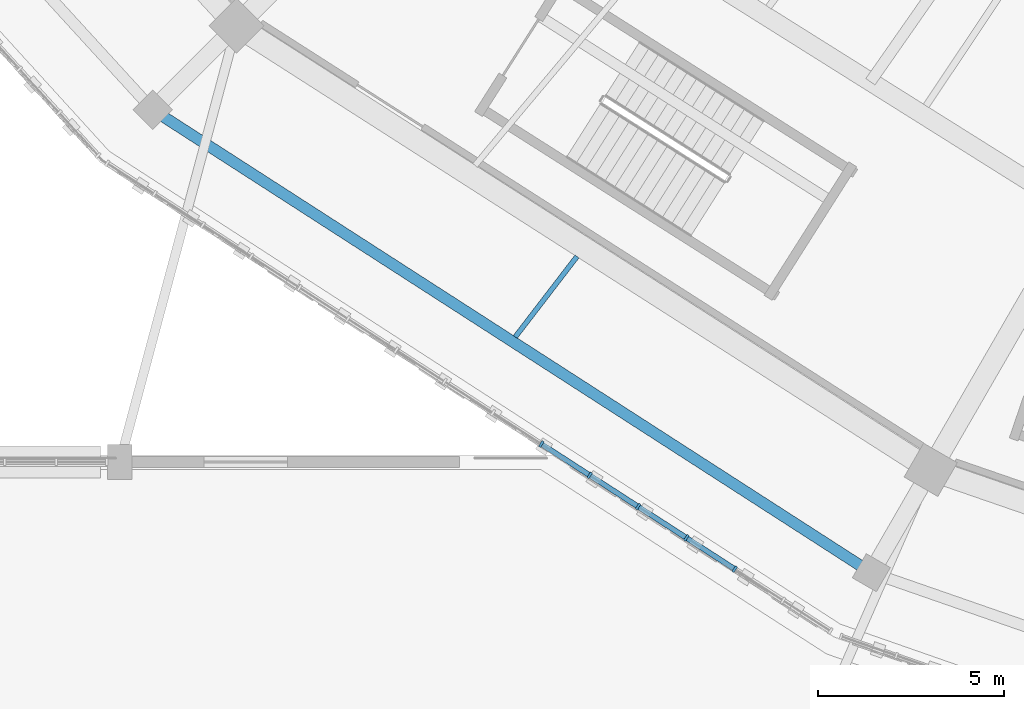
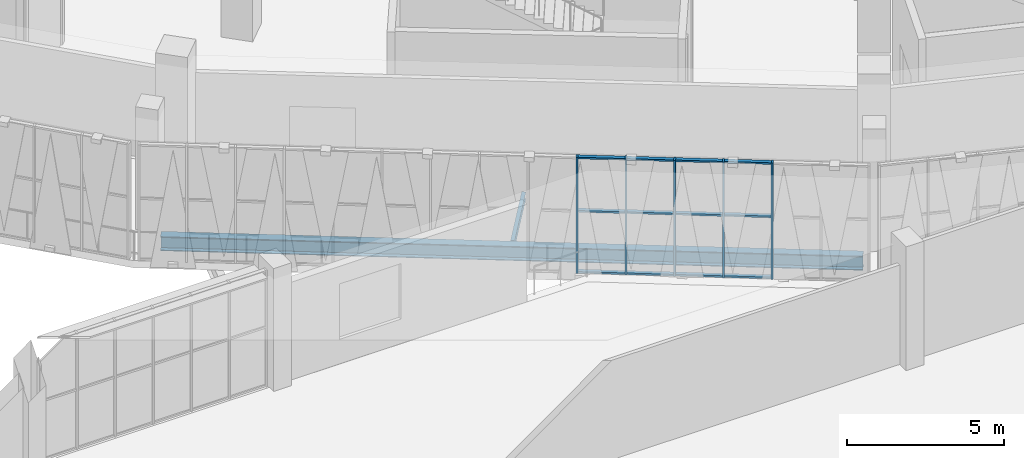
# One storey, part 7 of 179: 17 members, 2 beams, 1 element without a shape of its own.
"""IFC4 building model written with IfcOpenShell, lengths in metres."""

from ifc_helpers import new_model, si_unit, direction, frame, origin, origin_2d, place, context, subcontext, project, spatial, rectangle, i_section, extrude, material, material_profile, profile_set, type_object, element, aggregate, save


model = new_model("IFC4")

# Units and contexts
model_context = context("Model", 3, precision=1e-05, world=origin(), true_north=direction((0.0, 1.0)))
body_context = subcontext(model_context, "Body", "Model", "MODEL_VIEW")
ifc_project = project(units=[si_unit("LENGTHUNIT", "METRE"), si_unit("AREAUNIT", "SQUARE_METRE"), si_unit("VOLUMEUNIT", "CUBIC_METRE"), si_unit("PLANEANGLEUNIT", "RADIAN"), si_unit("MASSUNIT", "GRAM", prefix="KILO")], contexts=[model_context])

# Site, building, storey
site_placement = place(None, origin())
site = spatial("IfcSite", under=ifc_project, at=site_placement, CompositionType="ELEMENT")
building_placement = place(site_placement, origin())
building = spatial("IfcBuilding", under=site, at=building_placement, Name="Zevraka Park Crest Stadium", CompositionType="ELEMENT")
storey_placement = place(building_placement, frame((0.0, 0.0, 10.199951171875)))
storey = spatial("IfcBuildingStorey", under=building, at=storey_placement, Name="L02", CompositionType="ELEMENT", Elevation=10.199951171875)

# Curtain wall, members
ifc_material_1 = material(Name="Anodised architectural aluminium and laminated safety glass", Category="aluminium")
curtain_wall_type = type_object("IfcCurtainWallType", Name="CW08", PredefinedType="NOTDEFINED", material=ifc_material_1)
curtain_wall_placement = place(storey_placement, origin())
curtain_wall = element("IfcCurtainWall", 1, at=curtain_wall_placement, inside=storey, type_object=curtain_wall_type, Name="Unitised Ring Curtain Wall CW08 L02-15", PredefinedType="NOTDEFINED")
ifc_material_2 = material(Name="Anodised architectural aluminium", Category="aluminium")
ifc_material_profile_1 = material_profile(ifc_material_2, rectangle(XDim=0.179931640625, YDim=0.06494140625, at=origin_2d()), Name="ALU MULLION 180x65")
ifc_profile_set_1 = profile_set([ifc_material_profile_1], Name="Anodised architectural aluminium")
member_type_1 = type_object("IfcMemberType", Name="CM02", PredefinedType="MULLION", material=ifc_profile_set_1)
member_1_placement = place(storey_placement, frame((56.3583984375, 27.484375, 0.0), z_axis=(0.0, 0.0, 1.0), x_axis=(0.543096287444, 0.839670424967, 0.0)))
member_1 = element("IfcMember", 2, at=member_1_placement, type_object=member_type_1, Name="CW08 mullion 10", PredefinedType="MULLION", context=body_context, shape_type="SweptSolid", body=[
    extrude(rectangle(XDim=0.179931640625, YDim=0.06494140625, at=origin_2d()), origin(), (0.0, 0.0, 1.0), 4.5),
])
member_2_placement = place(storey_placement, frame((57.661376953125, 26.6416015625, 0.0), z_axis=(0.0, 0.0, 1.0), x_axis=(0.543096287444, 0.839670424967, 0.0)))
member_2 = element("IfcMember", 3, at=member_2_placement, type_object=member_type_1, Name="CW08 mullion 11", PredefinedType="MULLION", context=body_context, shape_type="SweptSolid", body=[
    extrude(rectangle(XDim=0.179931640625, YDim=0.06494140625, at=origin_2d()), origin(), (0.0, 0.0, 1.0), 4.5),
])
member_3_placement = place(storey_placement, frame((58.96435546875, 25.798828125, 0.0), z_axis=(0.0, 0.0, 1.0), x_axis=(0.543096287444, 0.839670424967, 0.0)))
member_3 = element("IfcMember", 4, at=member_3_placement, type_object=member_type_1, Name="CW08 mullion 12", PredefinedType="MULLION", context=body_context, shape_type="SweptSolid", body=[
    extrude(rectangle(XDim=0.179931640625, YDim=0.06494140625, at=origin_2d()), origin(), (0.0, 0.0, 1.0), 4.5),
])
member_4_placement = place(storey_placement, frame((60.26708984375, 24.956298828125, 0.0), z_axis=(0.0, 0.0, 1.0), x_axis=(0.543096287444, 0.839670424967, 0.0)))
member_4 = element("IfcMember", 5, at=member_4_placement, type_object=member_type_1, Name="CW08 mullion 13", PredefinedType="MULLION", context=body_context, shape_type="SweptSolid", body=[
    extrude(rectangle(XDim=0.179931640625, YDim=0.06494140625, at=origin_2d()), origin(), (0.0, 0.0, 1.0), 4.5),
])
member_5_placement = place(storey_placement, frame((61.570068359375, 24.113525390625, 0.0), z_axis=(0.0, 0.0, 1.0), x_axis=(0.543096287444, 0.839670424967, 0.0)))
member_5 = element("IfcMember", 6, at=member_5_placement, type_object=member_type_1, Name="CW08 mullion 14", PredefinedType="MULLION", context=body_context, shape_type="SweptSolid", body=[
    extrude(rectangle(XDim=0.179931640625, YDim=0.06494140625, at=origin_2d()), origin(), (0.0, 0.0, 1.0), 4.5),
])
ifc_material_3 = material(Name="Anodised architectural aluminium", Category="aluminium")
ifc_material_profile_2 = material_profile(ifc_material_3, rectangle(XDim=0.139892578125, YDim=0.06494140625, at=origin_2d()), Name="ALU TRANSOM 140x65")
ifc_profile_set_2 = profile_set([ifc_material_profile_2], Name="Anodised architectural aluminium")
member_type_2 = type_object("IfcMemberType", Name="CT02", PredefinedType="USERDEFINED", material=ifc_profile_set_2)
member_6_placement = place(storey_placement, frame((56.3857421875, 27.466796875, 0.032470703125), z_axis=(0.839675885301, -0.543087845236, 0.0), x_axis=(0.543087845236, 0.839675885301, 0.0)))
member_6 = element("IfcMember", 7, at=member_6_placement, type_object=member_type_2, Name="CW08 transom 10.1", ObjectType="TRANSOM", PredefinedType="USERDEFINED", context=body_context, shape_type="SweptSolid", body=[
    extrude(rectangle(XDim=0.139892578125, YDim=0.06494140625, at=origin_2d()), origin(), (0.0, 0.0, 1.0), 1.486572265625),
])
member_7_placement = place(storey_placement, frame((56.3857421875, 27.466796875, 2.400146484375), z_axis=(0.839675885301, -0.543087845236, 0.0), x_axis=(0.543087845236, 0.839675885301, 0.0)))
member_7 = element("IfcMember", 8, at=member_7_placement, type_object=member_type_2, Name="CW08 transom 10.2", ObjectType="TRANSOM", PredefinedType="USERDEFINED", context=body_context, shape_type="SweptSolid", body=[
    extrude(rectangle(XDim=0.139892578125, YDim=0.06494140625, at=origin_2d()), origin(), (0.0, 0.0, 1.0), 1.486572265625),
])
member_8_placement = place(storey_placement, frame((56.3857421875, 27.466796875, 4.467529296875), z_axis=(0.839675885301, -0.543087845236, 0.0), x_axis=(0.543087845236, 0.839675885301, 0.0)))
member_8 = element("IfcMember", 9, at=member_8_placement, type_object=member_type_2, Name="CW08 transom 10.3", ObjectType="TRANSOM", PredefinedType="USERDEFINED", context=body_context, shape_type="SweptSolid", body=[
    extrude(rectangle(XDim=0.139892578125, YDim=0.06494140625, at=origin_2d()), origin(), (0.0, 0.0, 1.0), 1.486572265625),
])
member_9_placement = place(storey_placement, frame((57.688720703125, 26.6240234375, 0.032470703125), z_axis=(0.839675885301, -0.543087845236, 0.0), x_axis=(0.543087845236, 0.839675885301, 0.0)))
member_9 = element("IfcMember", 10, at=member_9_placement, type_object=member_type_2, Name="CW08 transom 11.1", ObjectType="TRANSOM", PredefinedType="USERDEFINED", context=body_context, shape_type="SweptSolid", body=[
    extrude(rectangle(XDim=0.139892578125, YDim=0.06494140625, at=origin_2d()), origin(), (0.0, 0.0, 1.0), 1.486572265625),
])
member_10_placement = place(storey_placement, frame((57.688720703125, 26.6240234375, 2.400146484375), z_axis=(0.839675885301, -0.543087845236, 0.0), x_axis=(0.543087845236, 0.839675885301, 0.0)))
member_10 = element("IfcMember", 11, at=member_10_placement, type_object=member_type_2, Name="CW08 transom 11.2", ObjectType="TRANSOM", PredefinedType="USERDEFINED", context=body_context, shape_type="SweptSolid", body=[
    extrude(rectangle(XDim=0.139892578125, YDim=0.06494140625, at=origin_2d()), origin(), (0.0, 0.0, 1.0), 1.486572265625),
])
member_11_placement = place(storey_placement, frame((57.688720703125, 26.6240234375, 4.467529296875), z_axis=(0.839675885301, -0.543087845236, 0.0), x_axis=(0.543087845236, 0.839675885301, 0.0)))
member_11 = element("IfcMember", 12, at=member_11_placement, type_object=member_type_2, Name="CW08 transom 11.3", ObjectType="TRANSOM", PredefinedType="USERDEFINED", context=body_context, shape_type="SweptSolid", body=[
    extrude(rectangle(XDim=0.139892578125, YDim=0.06494140625, at=origin_2d()), origin(), (0.0, 0.0, 1.0), 1.486572265625),
])
member_12_placement = place(storey_placement, frame((58.991455078125, 25.78125, 0.032470703125), z_axis=(0.839724312152, -0.543012964468, 0.0), x_axis=(0.543012964468, 0.839724312152, 0.0)))
member_12 = element("IfcMember", 13, at=member_12_placement, type_object=member_type_2, Name="CW08 transom 12.1", ObjectType="TRANSOM", PredefinedType="USERDEFINED", context=body_context, shape_type="SweptSolid", body=[
    extrude(rectangle(XDim=0.139892578125, YDim=0.06494140625, at=origin_2d()), origin(), (0.0, 0.0, 1.0), 1.48681640625),
])
member_13_placement = place(storey_placement, frame((58.991455078125, 25.78125, 2.400146484375), z_axis=(0.839724312152, -0.543012964468, 0.0), x_axis=(0.543012964468, 0.839724312152, 0.0)))
member_13 = element("IfcMember", 14, at=member_13_placement, type_object=member_type_2, Name="CW08 transom 12.2", ObjectType="TRANSOM", PredefinedType="USERDEFINED", context=body_context, shape_type="SweptSolid", body=[
    extrude(rectangle(XDim=0.139892578125, YDim=0.06494140625, at=origin_2d()), origin(), (0.0, 0.0, 1.0), 1.48681640625),
])
member_14_placement = place(storey_placement, frame((58.991455078125, 25.78125, 4.467529296875), z_axis=(0.839724312152, -0.543012964468, 0.0), x_axis=(0.543012964468, 0.839724312152, 0.0)))
member_14 = element("IfcMember", 15, at=member_14_placement, type_object=member_type_2, Name="CW08 transom 12.3", ObjectType="TRANSOM", PredefinedType="USERDEFINED", context=body_context, shape_type="SweptSolid", body=[
    extrude(rectangle(XDim=0.139892578125, YDim=0.06494140625, at=origin_2d()), origin(), (0.0, 0.0, 1.0), 1.48681640625),
])
member_15_placement = place(storey_placement, frame((60.29443359375, 24.9384765625, 0.032470703125), z_axis=(0.839675885301, -0.543087845236, 0.0), x_axis=(0.543087845236, 0.839675885301, 0.0)))
member_15 = element("IfcMember", 16, at=member_15_placement, type_object=member_type_2, Name="CW08 transom 13.1", ObjectType="TRANSOM", PredefinedType="USERDEFINED", context=body_context, shape_type="SweptSolid", body=[
    extrude(rectangle(XDim=0.139892578125, YDim=0.06494140625, at=origin_2d()), origin(), (0.0, 0.0, 1.0), 1.486572265625),
])
member_16_placement = place(storey_placement, frame((60.29443359375, 24.9384765625, 2.400146484375), z_axis=(0.839675885301, -0.543087845236, 0.0), x_axis=(0.543087845236, 0.839675885301, 0.0)))
member_16 = element("IfcMember", 17, at=member_16_placement, type_object=member_type_2, Name="CW08 transom 13.2", ObjectType="TRANSOM", PredefinedType="USERDEFINED", context=body_context, shape_type="SweptSolid", body=[
    extrude(rectangle(XDim=0.139892578125, YDim=0.06494140625, at=origin_2d()), origin(), (0.0, 0.0, 1.0), 1.486572265625),
])
member_17_placement = place(storey_placement, frame((60.29443359375, 24.9384765625, 4.467529296875), z_axis=(0.839675885301, -0.543087845236, 0.0), x_axis=(0.543087845236, 0.839675885301, 0.0)))
member_17 = element("IfcMember", 18, at=member_17_placement, type_object=member_type_2, Name="CW08 transom 13.3", ObjectType="TRANSOM", PredefinedType="USERDEFINED", context=body_context, shape_type="SweptSolid", body=[
    extrude(rectangle(XDim=0.139892578125, YDim=0.06494140625, at=origin_2d()), origin(), (0.0, 0.0, 1.0), 1.486572265625),
])
aggregate(curtain_wall, [member_1, member_2, member_3, member_4, member_5, member_6, member_7, member_8, member_9, member_10, member_11, member_12, member_13, member_14, member_15, member_16, member_17])

# Beams
ifc_material_4 = material(Name="Steel S355", Category="steel")
ifc_material_profile_3 = material_profile(ifc_material_4, i_section(OverallWidth=0.300048828125, OverallDepth=0.550048828125, WebThickness=0.014892578125, FlangeThickness=0.029052734375, at=origin_2d()), Name="HEB 550")
ifc_profile_set_3 = profile_set([ifc_material_profile_3], Name="Steel S355")
beam_type_1 = type_object("IfcBeamType", Name="RB04", PredefinedType="BEAM", material=ifc_profile_set_3)
beam_1_placement = place(storey_placement, frame((46.179931640625, 36.302001953125, -0.5849609375), z_axis=(0.840676981124, -0.541536899396, 0.0), x_axis=(0.541536899396, 0.840676981124, 0.0)))
element("IfcBeam", 19, at=beam_1_placement, inside=storey, type_object=beam_type_1, Name="Ring Beam RB04 L02-E-15", PredefinedType="BEAM", context=body_context, shape_type="SweptSolid", body=[
    extrude(i_section(OverallWidth=0.300048828125, OverallDepth=0.550048828125, WebThickness=0.014892578125, FlangeThickness=0.029052734375, at=origin_2d()), origin(), (0.0, 0.0, 1.0), 22.33447265625),
])
ifc_material_5 = material(Name="Steel S355", Category="steel")
ifc_material_profile_4 = material_profile(ifc_material_5, i_section(OverallWidth=0.135009765625, OverallDepth=0.27001953125, WebThickness=0.006591796875, FlangeThickness=0.01025390625, at=origin_2d()), Name="IPE 270")
ifc_profile_set_4 = profile_set([ifc_material_profile_4], Name="Steel S355")
beam_type_2 = type_object("IfcBeamType", Name="SJ07", PredefinedType="JOIST", material=ifc_profile_set_4)
beam_2_placement = place(storey_placement, frame((57.319091796875, 32.537109375, -0.4228515625), z_axis=(-0.608829249804, -0.793301294959, 0.0), x_axis=(0.793301294959, -0.608829249804, 0.0)))
element("IfcBeam", 20, at=beam_2_placement, inside=storey, type_object=beam_type_2, Name="Floor Joist SJ07 L02-DE-15-1", PredefinedType="JOIST", context=body_context, shape_type="SweptSolid", body=[
    extrude(i_section(OverallWidth=0.135009765625, OverallDepth=0.27001953125, WebThickness=0.006591796875, FlangeThickness=0.01025390625, at=origin_2d()), origin(), (0.0, 0.0, 1.0), 2.731689453125),
])

save(model, "model.ifc")
